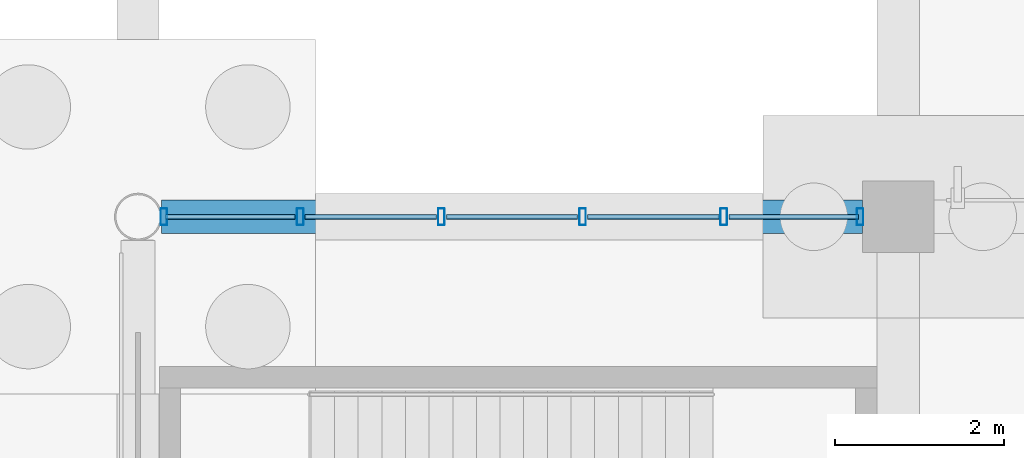
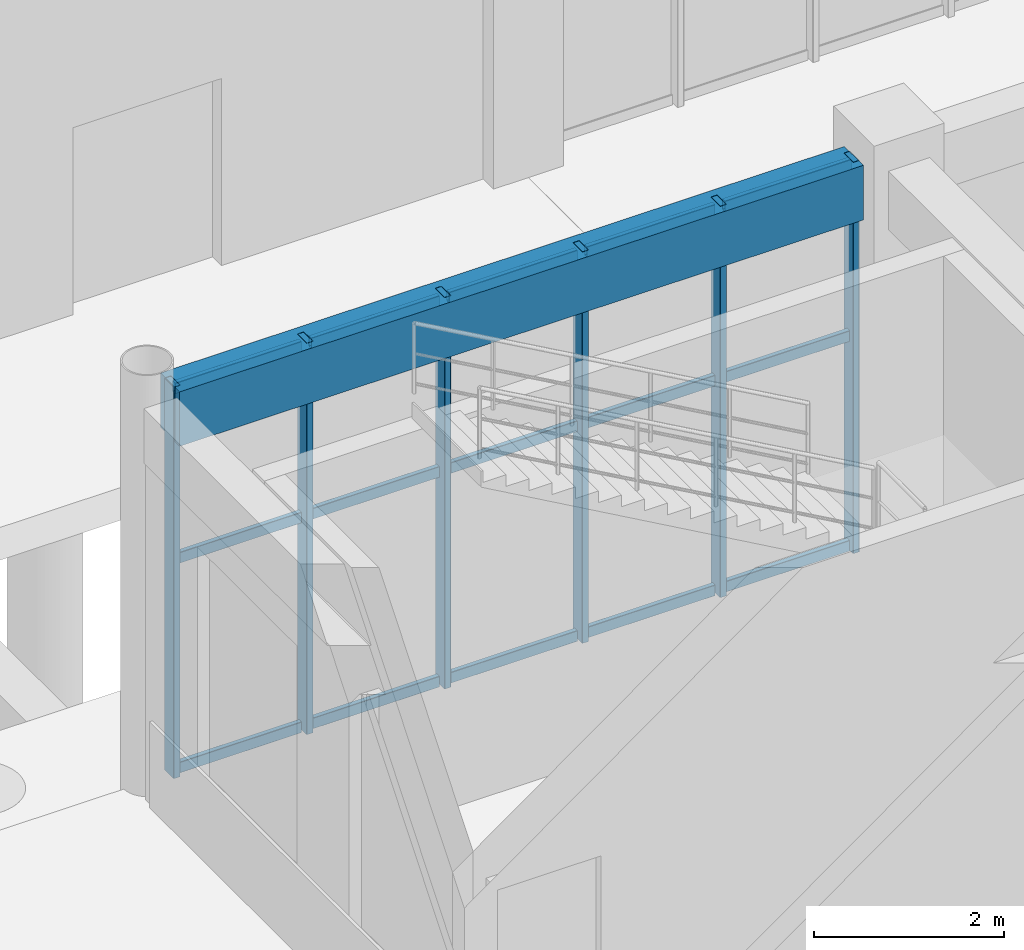
# One storey, part 33 of 121: 21 members, 1 beam, 1 element without a shape of its own.
"""IFC4 building model written with IfcOpenShell, lengths in metres."""

from ifc_helpers import new_model, si_unit, derived_unit, direction, frame, origin, origin_2d, place, context, subcontext, project, spatial, rectangle, hollow_rectangle, extrude, material, material_profile, profile_set, type_object, element, aggregate, save


model = new_model("IFC4")

# Units and contexts
model_context = context("Model", 3, precision=1e-05, world=origin(), true_north=direction((0.0, 1.0)))
body_context = subcontext(model_context, "Body", "Model", "MODEL_VIEW")
ifc_project = project(units=[si_unit("LENGTHUNIT", "METRE"), si_unit("AREAUNIT", "SQUARE_METRE"), si_unit("VOLUMEUNIT", "CUBIC_METRE"), si_unit("PLANEANGLEUNIT", "RADIAN"), si_unit("MASSUNIT", "GRAM", prefix="KILO"), derived_unit("THERMALTRANSMITTANCEUNIT", [(si_unit("MASSUNIT", "GRAM", prefix="KILO"), 1), (si_unit("TIMEUNIT", "SECOND"), -3), (si_unit("THERMODYNAMICTEMPERATUREUNIT", "KELVIN"), -1)])], contexts=[model_context])

# Site, building, storey
site_placement = place(None, origin())
site = spatial("IfcSite", under=ifc_project, at=site_placement, CompositionType="ELEMENT")
building_placement = place(site_placement, origin())
building = spatial("IfcBuilding", under=site, at=building_placement, Name="Zhenchuan Archway Interchange", CompositionType="ELEMENT")
storey_placement = place(building_placement, origin())
storey = spatial("IfcBuildingStorey", under=building, at=storey_placement, Name="L00", CompositionType="ELEMENT", Elevation=0.0)

# Curtain wall, members
ifc_material_1 = material(Name="Anodised Aluminium", Category="aluminium")
curtain_wall_type = type_object("IfcCurtainWallType", Name="CW_UNIT_3", PredefinedType="NOTDEFINED", material=ifc_material_1)
curtain_wall_placement = place(storey_placement, origin())
curtain_wall = element("IfcCurtainWall", 1, at=curtain_wall_placement, inside=storey, type_object=curtain_wall_type, Name="Unitised curtain wall CW:L00:002", PredefinedType="NOTDEFINED")
ifc_material_profile_1 = material_profile(ifc_material_1, hollow_rectangle(XDim=0.080078125, YDim=0.199951171875, WallThickness=0.00439453125, InnerFilletRadius=0.00439453125, OuterFilletRadius=0.009033203125, at=origin_2d()), Name="ALU 200x80x4.5")
ifc_profile_set_1 = profile_set([ifc_material_profile_1], Name="Anodised Aluminium")
member_type_1 = type_object("IfcMemberType", Name="CW_MUL_200", PredefinedType="MULLION", material=ifc_profile_set_1)
member_1_placement = place(storey_placement, frame((18.306396484375, 88.0, 0.0), z_axis=(0.0, 0.0, 1.0), x_axis=(1.0, 0.0, 0.0)))
member_1 = element("IfcMember", 2, at=member_1_placement, type_object=member_type_1, Name="CW:L00:002 mullion 0", PredefinedType="MULLION", context=body_context, shape_type="SweptSolid", body=[
    extrude(hollow_rectangle(XDim=0.080078125, YDim=0.199951171875, WallThickness=0.00439453125, InnerFilletRadius=0.00439453125, OuterFilletRadius=0.009033203125, at=origin_2d()), origin(), (0.0, 0.0, 1.0), 5.02001953125),
])
member_2_placement = place(storey_placement, frame((19.918701171875, 88.0, 0.0), z_axis=(0.0, 0.0, 1.0), x_axis=(1.0, 0.0, 0.0)))
member_2 = element("IfcMember", 3, at=member_2_placement, type_object=member_type_1, Name="CW:L00:002 mullion 1", PredefinedType="MULLION", context=body_context, shape_type="SweptSolid", body=[
    extrude(hollow_rectangle(XDim=0.080078125, YDim=0.199951171875, WallThickness=0.00439453125, InnerFilletRadius=0.00439453125, OuterFilletRadius=0.009033203125, at=origin_2d()), origin(), (0.0, 0.0, 1.0), 5.02001953125),
])
member_3_placement = place(storey_placement, frame((21.5908203125, 88.0, 0.0), z_axis=(0.0, 0.0, 1.0), x_axis=(1.0, 0.0, 0.0)))
member_3 = element("IfcMember", 4, at=member_3_placement, type_object=member_type_1, Name="CW:L00:002 mullion 2", PredefinedType="MULLION", context=body_context, shape_type="SweptSolid", body=[
    extrude(hollow_rectangle(XDim=0.080078125, YDim=0.199951171875, WallThickness=0.00439453125, InnerFilletRadius=0.00439453125, OuterFilletRadius=0.009033203125, at=origin_2d()), origin(), (0.0, 0.0, 1.0), 5.02001953125),
])
member_4_placement = place(storey_placement, frame((23.2626953125, 88.0, 0.0), z_axis=(0.0, 0.0, 1.0), x_axis=(1.0, 0.0, 0.0)))
member_4 = element("IfcMember", 5, at=member_4_placement, type_object=member_type_1, Name="CW:L00:002 mullion 3", PredefinedType="MULLION", context=body_context, shape_type="SweptSolid", body=[
    extrude(hollow_rectangle(XDim=0.080078125, YDim=0.199951171875, WallThickness=0.00439453125, InnerFilletRadius=0.00439453125, OuterFilletRadius=0.009033203125, at=origin_2d()), origin(), (0.0, 0.0, 1.0), 5.02001953125),
])
member_5_placement = place(storey_placement, frame((24.934814453125, 88.0, 0.0), z_axis=(0.0, 0.0, 1.0), x_axis=(1.0, 0.0, 0.0)))
member_5 = element("IfcMember", 6, at=member_5_placement, type_object=member_type_1, Name="CW:L00:002 mullion 4", PredefinedType="MULLION", context=body_context, shape_type="SweptSolid", body=[
    extrude(hollow_rectangle(XDim=0.080078125, YDim=0.199951171875, WallThickness=0.00439453125, InnerFilletRadius=0.00439453125, OuterFilletRadius=0.009033203125, at=origin_2d()), origin(), (0.0, 0.0, 1.0), 5.02001953125),
])
member_6_placement = place(storey_placement, frame((26.547119140625, 88.0, 0.0), z_axis=(0.0, 0.0, 1.0), x_axis=(1.0, 0.0, 0.0)))
member_6 = element("IfcMember", 7, at=member_6_placement, type_object=member_type_1, Name="CW:L00:002 mullion 5", PredefinedType="MULLION", context=body_context, shape_type="SweptSolid", body=[
    extrude(hollow_rectangle(XDim=0.080078125, YDim=0.199951171875, WallThickness=0.00439453125, InnerFilletRadius=0.00439453125, OuterFilletRadius=0.009033203125, at=origin_2d()), origin(), (0.0, 0.0, 1.0), 5.02001953125),
])
ifc_material_profile_2 = material_profile(ifc_material_1, hollow_rectangle(XDim=0.06005859375, YDim=0.139892578125, WallThickness=0.00341796875, InnerFilletRadius=0.00341796875, OuterFilletRadius=0.007080078125, at=origin_2d()), Name="ALU 140x60x3.5")
ifc_profile_set_2 = profile_set([ifc_material_profile_2], Name="Anodised Aluminium")
member_type_2 = type_object("IfcMemberType", Name="CW_TRN_140", PredefinedType="USERDEFINED", material=ifc_profile_set_2)
member_7_placement = place(storey_placement, frame((18.326416015625, 88.0, 0.06005859375), z_axis=(1.0, 0.0, 0.0), x_axis=(0.0, 1.0, 0.0)))
member_7 = element("IfcMember", 8, at=member_7_placement, type_object=member_type_2, Name="CW:L00:002 transom 0-1", ObjectType="TRANSOM", PredefinedType="USERDEFINED", context=body_context, shape_type="SweptSolid", body=[
    extrude(hollow_rectangle(XDim=0.06005859375, YDim=0.139892578125, WallThickness=0.00341796875, InnerFilletRadius=0.00341796875, OuterFilletRadius=0.007080078125, at=origin_2d()), origin(), (0.0, 0.0, 1.0), 1.5322265625),
])
member_8_placement = place(storey_placement, frame((18.326416015625, 88.0, 2.75), z_axis=(1.0, 0.0, 0.0), x_axis=(0.0, 1.0, 0.0)))
member_8 = element("IfcMember", 9, at=member_8_placement, type_object=member_type_2, Name="CW:L00:002 transom 0-2", ObjectType="TRANSOM", PredefinedType="USERDEFINED", context=body_context, shape_type="SweptSolid", body=[
    extrude(hollow_rectangle(XDim=0.06005859375, YDim=0.139892578125, WallThickness=0.00341796875, InnerFilletRadius=0.00341796875, OuterFilletRadius=0.007080078125, at=origin_2d()), origin(), (0.0, 0.0, 1.0), 1.5322265625),
])
member_9_placement = place(storey_placement, frame((18.326416015625, 88.0, 4.93994140625), z_axis=(1.0, 0.0, 0.0), x_axis=(0.0, 1.0, 0.0)))
member_9 = element("IfcMember", 10, at=member_9_placement, type_object=member_type_2, Name="CW:L00:002 transom 0-3", ObjectType="TRANSOM", PredefinedType="USERDEFINED", context=body_context, shape_type="SweptSolid", body=[
    extrude(hollow_rectangle(XDim=0.06005859375, YDim=0.139892578125, WallThickness=0.00341796875, InnerFilletRadius=0.00341796875, OuterFilletRadius=0.007080078125, at=origin_2d()), origin(), (0.0, 0.0, 1.0), 1.5322265625),
])
member_10_placement = place(storey_placement, frame((19.978515625, 88.0, 0.06005859375), z_axis=(1.0, 0.0, 0.0), x_axis=(0.0, 1.0, 0.0)))
member_10 = element("IfcMember", 11, at=member_10_placement, type_object=member_type_2, Name="CW:L00:002 transom 1-1", ObjectType="TRANSOM", PredefinedType="USERDEFINED", context=body_context, shape_type="SweptSolid", body=[
    extrude(hollow_rectangle(XDim=0.06005859375, YDim=0.139892578125, WallThickness=0.00341796875, InnerFilletRadius=0.00341796875, OuterFilletRadius=0.007080078125, at=origin_2d()), origin(), (0.0, 0.0, 1.0), 1.55224609375),
])
member_11_placement = place(storey_placement, frame((19.978515625, 88.0, 2.75), z_axis=(1.0, 0.0, 0.0), x_axis=(0.0, 1.0, 0.0)))
member_11 = element("IfcMember", 12, at=member_11_placement, type_object=member_type_2, Name="CW:L00:002 transom 1-2", ObjectType="TRANSOM", PredefinedType="USERDEFINED", context=body_context, shape_type="SweptSolid", body=[
    extrude(hollow_rectangle(XDim=0.06005859375, YDim=0.139892578125, WallThickness=0.00341796875, InnerFilletRadius=0.00341796875, OuterFilletRadius=0.007080078125, at=origin_2d()), origin(), (0.0, 0.0, 1.0), 1.55224609375),
])
member_12_placement = place(storey_placement, frame((19.978515625, 88.0, 4.93994140625), z_axis=(1.0, 0.0, 0.0), x_axis=(0.0, 1.0, 0.0)))
member_12 = element("IfcMember", 13, at=member_12_placement, type_object=member_type_2, Name="CW:L00:002 transom 1-3", ObjectType="TRANSOM", PredefinedType="USERDEFINED", context=body_context, shape_type="SweptSolid", body=[
    extrude(hollow_rectangle(XDim=0.06005859375, YDim=0.139892578125, WallThickness=0.00341796875, InnerFilletRadius=0.00341796875, OuterFilletRadius=0.007080078125, at=origin_2d()), origin(), (0.0, 0.0, 1.0), 1.55224609375),
])
member_13_placement = place(storey_placement, frame((21.650634765625, 88.0, 0.06005859375), z_axis=(1.0, 0.0, 0.0), x_axis=(0.0, 1.0, 0.0)))
member_13 = element("IfcMember", 14, at=member_13_placement, type_object=member_type_2, Name="CW:L00:002 transom 2-1", ObjectType="TRANSOM", PredefinedType="USERDEFINED", context=body_context, shape_type="SweptSolid", body=[
    extrude(hollow_rectangle(XDim=0.06005859375, YDim=0.139892578125, WallThickness=0.00341796875, InnerFilletRadius=0.00341796875, OuterFilletRadius=0.007080078125, at=origin_2d()), origin(), (0.0, 0.0, 1.0), 1.55224609375),
])
member_14_placement = place(storey_placement, frame((21.650634765625, 88.0, 2.75), z_axis=(1.0, 0.0, 0.0), x_axis=(0.0, 1.0, 0.0)))
member_14 = element("IfcMember", 15, at=member_14_placement, type_object=member_type_2, Name="CW:L00:002 transom 2-2", ObjectType="TRANSOM", PredefinedType="USERDEFINED", context=body_context, shape_type="SweptSolid", body=[
    extrude(hollow_rectangle(XDim=0.06005859375, YDim=0.139892578125, WallThickness=0.00341796875, InnerFilletRadius=0.00341796875, OuterFilletRadius=0.007080078125, at=origin_2d()), origin(), (0.0, 0.0, 1.0), 1.55224609375),
])
member_15_placement = place(storey_placement, frame((21.650634765625, 88.0, 4.93994140625), z_axis=(1.0, 0.0, 0.0), x_axis=(0.0, 1.0, 0.0)))
member_15 = element("IfcMember", 16, at=member_15_placement, type_object=member_type_2, Name="CW:L00:002 transom 2-3", ObjectType="TRANSOM", PredefinedType="USERDEFINED", context=body_context, shape_type="SweptSolid", body=[
    extrude(hollow_rectangle(XDim=0.06005859375, YDim=0.139892578125, WallThickness=0.00341796875, InnerFilletRadius=0.00341796875, OuterFilletRadius=0.007080078125, at=origin_2d()), origin(), (0.0, 0.0, 1.0), 1.55224609375),
])
member_16_placement = place(storey_placement, frame((23.32275390625, 88.0, 0.06005859375), z_axis=(1.0, 0.0, 0.0), x_axis=(0.0, 1.0, 0.0)))
member_16 = element("IfcMember", 17, at=member_16_placement, type_object=member_type_2, Name="CW:L00:002 transom 3-1", ObjectType="TRANSOM", PredefinedType="USERDEFINED", context=body_context, shape_type="SweptSolid", body=[
    extrude(hollow_rectangle(XDim=0.06005859375, YDim=0.139892578125, WallThickness=0.00341796875, InnerFilletRadius=0.00341796875, OuterFilletRadius=0.007080078125, at=origin_2d()), origin(), (0.0, 0.0, 1.0), 1.55224609375),
])
member_17_placement = place(storey_placement, frame((23.32275390625, 88.0, 2.75), z_axis=(1.0, 0.0, 0.0), x_axis=(0.0, 1.0, 0.0)))
member_17 = element("IfcMember", 18, at=member_17_placement, type_object=member_type_2, Name="CW:L00:002 transom 3-2", ObjectType="TRANSOM", PredefinedType="USERDEFINED", context=body_context, shape_type="SweptSolid", body=[
    extrude(hollow_rectangle(XDim=0.06005859375, YDim=0.139892578125, WallThickness=0.00341796875, InnerFilletRadius=0.00341796875, OuterFilletRadius=0.007080078125, at=origin_2d()), origin(), (0.0, 0.0, 1.0), 1.55224609375),
])
member_18_placement = place(storey_placement, frame((23.32275390625, 88.0, 4.93994140625), z_axis=(1.0, 0.0, 0.0), x_axis=(0.0, 1.0, 0.0)))
member_18 = element("IfcMember", 19, at=member_18_placement, type_object=member_type_2, Name="CW:L00:002 transom 3-3", ObjectType="TRANSOM", PredefinedType="USERDEFINED", context=body_context, shape_type="SweptSolid", body=[
    extrude(hollow_rectangle(XDim=0.06005859375, YDim=0.139892578125, WallThickness=0.00341796875, InnerFilletRadius=0.00341796875, OuterFilletRadius=0.007080078125, at=origin_2d()), origin(), (0.0, 0.0, 1.0), 1.55224609375),
])
member_19_placement = place(storey_placement, frame((24.994873046875, 88.0, 0.06005859375), z_axis=(1.0, 0.0, 0.0), x_axis=(0.0, 1.0, 0.0)))
member_19 = element("IfcMember", 20, at=member_19_placement, type_object=member_type_2, Name="CW:L00:002 transom 4-1", ObjectType="TRANSOM", PredefinedType="USERDEFINED", context=body_context, shape_type="SweptSolid", body=[
    extrude(hollow_rectangle(XDim=0.06005859375, YDim=0.139892578125, WallThickness=0.00341796875, InnerFilletRadius=0.00341796875, OuterFilletRadius=0.007080078125, at=origin_2d()), origin(), (0.0, 0.0, 1.0), 1.5322265625),
])
member_20_placement = place(storey_placement, frame((24.994873046875, 88.0, 2.75), z_axis=(1.0, 0.0, 0.0), x_axis=(0.0, 1.0, 0.0)))
member_20 = element("IfcMember", 21, at=member_20_placement, type_object=member_type_2, Name="CW:L00:002 transom 4-2", ObjectType="TRANSOM", PredefinedType="USERDEFINED", context=body_context, shape_type="SweptSolid", body=[
    extrude(hollow_rectangle(XDim=0.06005859375, YDim=0.139892578125, WallThickness=0.00341796875, InnerFilletRadius=0.00341796875, OuterFilletRadius=0.007080078125, at=origin_2d()), origin(), (0.0, 0.0, 1.0), 1.5322265625),
])
member_21_placement = place(storey_placement, frame((24.994873046875, 88.0, 4.93994140625), z_axis=(1.0, 0.0, 0.0), x_axis=(0.0, 1.0, 0.0)))
member_21 = element("IfcMember", 22, at=member_21_placement, type_object=member_type_2, Name="CW:L00:002 transom 4-3", ObjectType="TRANSOM", PredefinedType="USERDEFINED", context=body_context, shape_type="SweptSolid", body=[
    extrude(hollow_rectangle(XDim=0.06005859375, YDim=0.139892578125, WallThickness=0.00341796875, InnerFilletRadius=0.00341796875, OuterFilletRadius=0.007080078125, at=origin_2d()), origin(), (0.0, 0.0, 1.0), 1.5322265625),
])
aggregate(curtain_wall, [member_1, member_2, member_3, member_4, member_5, member_6, member_7, member_8, member_9, member_10, member_11, member_12, member_13, member_14, member_15, member_16, member_17, member_18, member_19, member_20, member_21])

# Beam
ifc_material_2 = material(Name="Concrete C40", Category="concrete")
ifc_material_profile_3 = material_profile(ifc_material_2, rectangle(XDim=0.39990234375, YDim=0.699951171875, at=origin_2d()), Name="RC 400x700")
ifc_profile_set_3 = profile_set([ifc_material_profile_3], Name="Concrete C40")
beam_type = type_object("IfcBeamType", Name="SP_RC_400x700", PredefinedType="SPANDREL", material=ifc_profile_set_3)
beam_placement = place(storey_placement, frame((18.279541015625, 88.0, 4.669921875), z_axis=(1.0, 0.0, 0.0), x_axis=(0.0, 1.0, 0.0)))
element("IfcBeam", 23, at=beam_placement, inside=storey, type_object=beam_type, Name="Beam M:3-4 (L00)", PredefinedType="SPANDREL", context=body_context, shape_type="SweptSolid", body=[
    extrude(rectangle(XDim=0.39990234375, YDim=0.699951171875, at=origin_2d()), origin(), (0.0, 0.0, 1.0), 8.29541015625),
])

save(model, "model.ifc")
